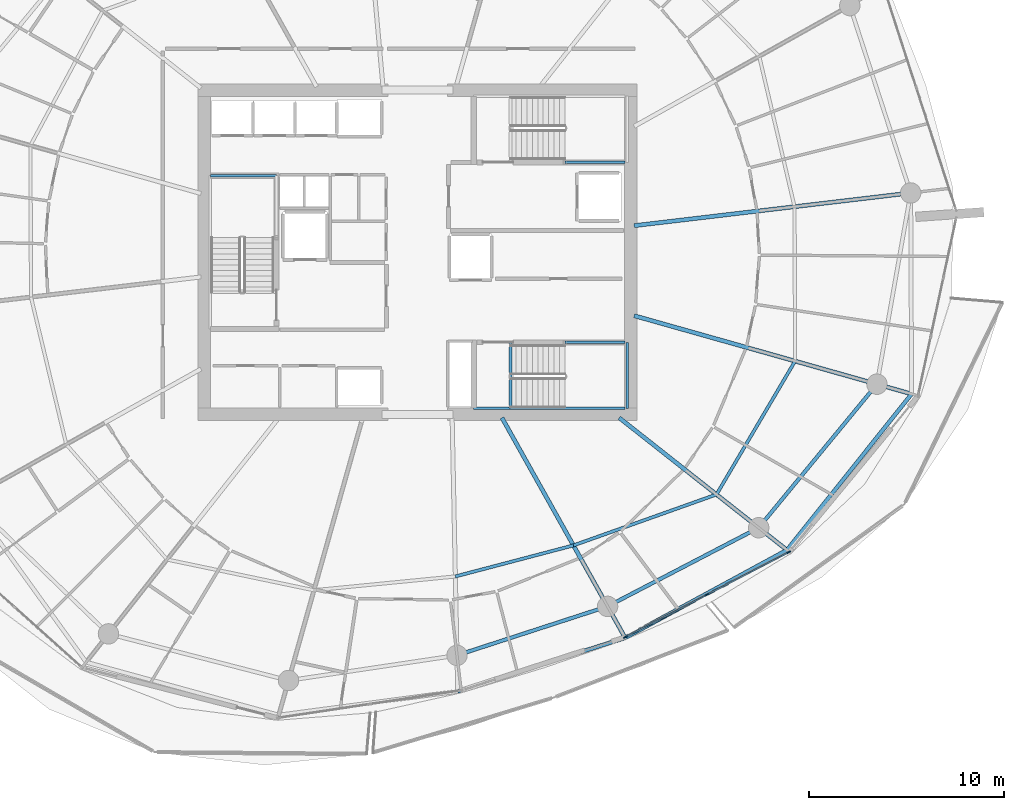
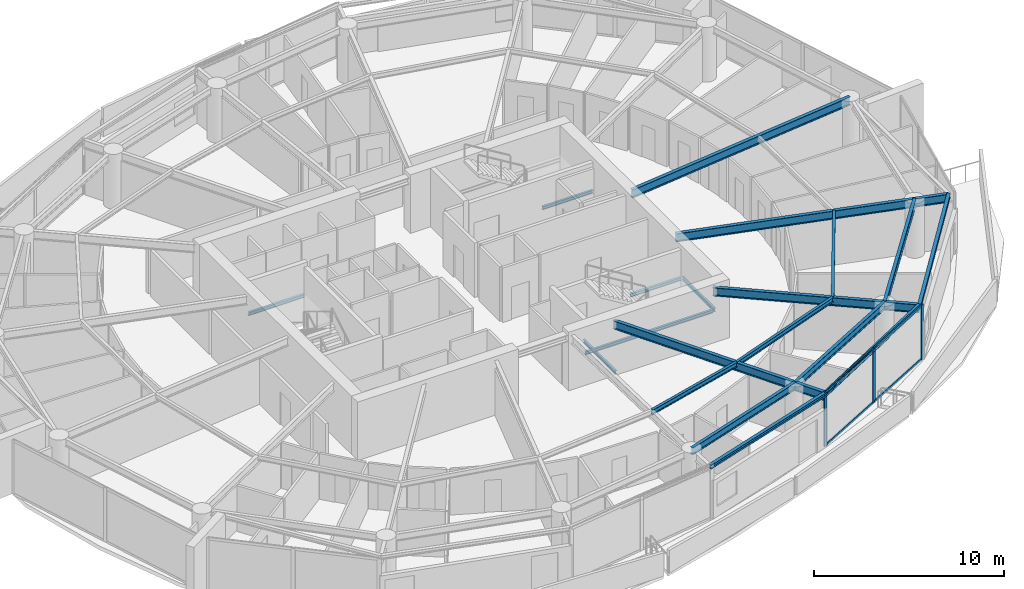
# One storey, part 6 of 21: 19 beams, 7 members, 1 element without a shape of its own.
"""IFC4 building model written with IfcOpenShell, lengths in metres."""

from ifc_helpers import new_model, si_unit, direction, frame, origin, origin_2d, place, context, subcontext, project, spatial, rectangle, i_section, extrude, material, layer, layer_set, material_profile, profile_set, type_object, element, aggregate, save


model = new_model("IFC4")

# Units and contexts
model_context = context("Model", 3, precision=1e-05, world=origin(), true_north=direction((0.0, 1.0)))
body_context = subcontext(model_context, "Body", "Model", "MODEL_VIEW")
ifc_project = project(units=[si_unit("LENGTHUNIT", "METRE"), si_unit("AREAUNIT", "SQUARE_METRE"), si_unit("VOLUMEUNIT", "CUBIC_METRE"), si_unit("PLANEANGLEUNIT", "RADIAN"), si_unit("MASSUNIT", "GRAM", prefix="KILO")], contexts=[model_context])

# Site, building, storey
site_placement = place(None, origin())
site = spatial("IfcSite", under=ifc_project, at=site_placement, CompositionType="ELEMENT")
building_placement = place(site_placement, origin())
building = spatial("IfcBuilding", under=site, at=building_placement, Name="Kazma Halo Residences", CompositionType="ELEMENT")
storey_placement = place(building_placement, frame((0.0, 0.0, 180.300048828125)))
storey = spatial("IfcBuildingStorey", under=building, at=storey_placement, Name="L45", CompositionType="ELEMENT", Elevation=180.300048828125)

# Beams
ifc_material_1 = material(Name="Steel S355", Category="steel")
ifc_material_profile_1 = material_profile(ifc_material_1, i_section(OverallWidth=0.201904296875, OverallDepth=0.2470703125, WebThickness=0.00732421875, FlangeThickness=0.010986328125, FilletRadius=0.011962890625, at=origin_2d()), Name="W250x49.1")
ifc_profile_set_1 = profile_set([ifc_material_profile_1], Name="Steel S355")
beam_type_1 = type_object("IfcBeamType", Name="BM-BAL-CANT", PredefinedType="BEAM", material=ifc_profile_set_1)
beam_1_placement = place(storey_placement, frame((50.48779296875, 19.45068359375, 3.37646484375), z_axis=(0.952538666424, 0.30441762263, 0.0), x_axis=(-0.30441762263, 0.952538666424, 0.0)))
element("IfcBeam", 1, at=beam_1_placement, inside=storey, type_object=beam_type_1, Name="L45 wave-balcony tie beam 12", PredefinedType="BEAM", context=body_context, shape_type="SweptSolid", body=[
    extrude(i_section(OverallWidth=0.201904296875, OverallDepth=0.2470703125, WebThickness=0.00732421875, FlangeThickness=0.010986328125, FilletRadius=0.011962890625, at=origin_2d()), origin(), (0.0, 0.0, 1.0), 9.029541015625),
])
beam_2_placement = place(storey_placement, frame((59.0888671875, 22.199462890625, 3.37646484375), z_axis=(0.878890557257, 0.477023467309, 0.0), x_axis=(-0.477023467309, 0.878890557257, 0.0)))
element("IfcBeam", 2, at=beam_2_placement, inside=storey, type_object=beam_type_1, Name="L45 wave-balcony tie beam 13", PredefinedType="BEAM", context=body_context, shape_type="SweptSolid", body=[
    extrude(i_section(OverallWidth=0.201904296875, OverallDepth=0.2470703125, WebThickness=0.00732421875, FlangeThickness=0.010986328125, FilletRadius=0.011962890625, at=origin_2d()), origin(), (0.0, 0.0, 1.0), 9.452880859375),
])
beam_3_placement = place(storey_placement, frame((67.39697265625, 26.708740234375, 3.37646484375), z_axis=(0.624195724924, 0.781268005864, 0.0), x_axis=(-0.781268005864, 0.624195724924, 0.0)))
element("IfcBeam", 3, at=beam_3_placement, inside=storey, type_object=beam_type_1, Name="L45 wave-balcony tie beam 14", PredefinedType="BEAM", context=body_context, shape_type="SweptSolid", body=[
    extrude(i_section(OverallWidth=0.201904296875, OverallDepth=0.2470703125, WebThickness=0.00732421875, FlangeThickness=0.010986328125, FilletRadius=0.011962890625, at=origin_2d()), origin(), (0.0, 0.0, 1.0), 10.258544921875),
])
ifc_material_profile_2 = material_profile(ifc_material_1, i_section(OverallWidth=0.208984375, OverallDepth=0.532958984375, WebThickness=0.01025390625, FlangeThickness=0.015625, FilletRadius=0.01611328125, at=origin_2d()), Name="W530x92")
ifc_profile_set_2 = profile_set([ifc_material_profile_2], Name="Steel S355")
beam_type_2 = type_object("IfcBeamType", Name="BM-RAD-W530", PredefinedType="BEAM", material=ifc_profile_set_2)
beam_4_placement = place(storey_placement, frame((52.76025390625, 33.5, 3.2333984375), z_axis=(0.488621736368, -0.872495729931, 0.0), x_axis=(0.872495729931, 0.488621736368, 0.0)))
element("IfcBeam", 4, at=beam_4_placement, inside=storey, type_object=beam_type_2, Name="L45 radial floor beam 13", PredefinedType="BEAM", context=body_context, shape_type="SweptSolid", body=[
    extrude(i_section(OverallWidth=0.208984375, OverallDepth=0.532958984375, WebThickness=0.01025390625, FlangeThickness=0.015625, FilletRadius=0.01611328125, at=origin_2d()), origin(), (0.0, 0.0, 1.0), 12.951904296875),
])
beam_5_placement = place(storey_placement, frame((58.7822265625, 33.5, 3.2333984375), z_axis=(0.785319521624, -0.619090662954, 0.0), x_axis=(0.619090662954, 0.785319521624, 0.0)))
element("IfcBeam", 5, at=beam_5_placement, inside=storey, type_object=beam_type_2, Name="L45 radial floor beam 14", PredefinedType="BEAM", context=body_context, shape_type="SweptSolid", body=[
    extrude(i_section(OverallWidth=0.208984375, OverallDepth=0.532958984375, WebThickness=0.01025390625, FlangeThickness=0.015625, FilletRadius=0.01611328125, at=origin_2d()), origin(), (0.0, 0.0, 1.0), 10.9697265625),
])
beam_6_placement = place(storey_placement, frame((59.550048828125, 38.74267578125, 3.2333984375), z_axis=(0.962449896911, -0.271459381741, 0.0), x_axis=(0.271459381741, 0.962449896911, 0.0)))
element("IfcBeam", 6, at=beam_6_placement, inside=storey, type_object=beam_type_2, Name="L45 radial floor beam 15", PredefinedType="BEAM", context=body_context, shape_type="SweptSolid", body=[
    extrude(i_section(OverallWidth=0.208984375, OverallDepth=0.532958984375, WebThickness=0.01025390625, FlangeThickness=0.015625, FilletRadius=0.01611328125, at=origin_2d()), origin(), (0.0, 0.0, 1.0), 14.80615234375),
])
beam_7_placement = place(storey_placement, frame((59.550048828125, 43.366943359375, 3.2333984375), z_axis=(0.993068204292, 0.117539532174, 0.0), x_axis=(-0.117539532174, 0.993068204292, 0.0)))
element("IfcBeam", 7, at=beam_7_placement, inside=storey, type_object=beam_type_2, Name="L45 radial floor beam 16", PredefinedType="BEAM", context=body_context, shape_type="SweptSolid", body=[
    extrude(i_section(OverallWidth=0.208984375, OverallDepth=0.532958984375, WebThickness=0.01025390625, FlangeThickness=0.015625, FilletRadius=0.01611328125, at=origin_2d()), origin(), (0.0, 0.0, 1.0), 14.30078125),
])
ifc_material_profile_3 = material_profile(ifc_material_1, i_section(OverallWidth=0.1650390625, OverallDepth=0.31005859375, WebThickness=0.005859375, FlangeThickness=0.009765625, FilletRadius=0.011962890625, at=origin_2d()), Name="W310x38.7")
ifc_profile_set_3 = profile_set([ifc_material_profile_3], Name="Steel S355")
beam_type_3 = type_object("IfcBeamType", Name="BM-SEC-W310B", PredefinedType="JOIST", material=ifc_profile_set_3)
beam_8_placement = place(storey_placement, frame((50.366943359375, 25.3515625, 3.344970703125), z_axis=(0.967135034863, 0.254263297273, 0.0), x_axis=(-0.254263297273, 0.967135034863, 0.0)))
element("IfcBeam", 8, at=beam_8_placement, inside=storey, type_object=beam_type_3, Name="L45 circumferential floor joist 12", PredefinedType="JOIST", context=body_context, shape_type="SweptSolid", body=[
    extrude(i_section(OverallWidth=0.1650390625, OverallDepth=0.31005859375, WebThickness=0.005859375, FlangeThickness=0.009765625, FilletRadius=0.011962890625, at=origin_2d()), origin(), (0.0, 0.0, 1.0), 6.27001953125),
])
beam_9_placement = place(storey_placement, frame((56.430908203125, 26.94580078125, 3.344970703125), z_axis=(0.942107492186, 0.335311009612, 0.0), x_axis=(-0.335311009612, 0.942107492186, 0.0)))
element("IfcBeam", 9, at=beam_9_placement, inside=storey, type_object=beam_type_3, Name="L45 circumferential floor joist 13", PredefinedType="JOIST", context=body_context, shape_type="SweptSolid", body=[
    extrude(i_section(OverallWidth=0.1650390625, OverallDepth=0.31005859375, WebThickness=0.005859375, FlangeThickness=0.009765625, FilletRadius=0.011962890625, at=origin_2d()), origin(), (0.0, 0.0, 1.0), 7.79931640625),
])
beam_10_placement = place(storey_placement, frame((63.77880859375, 29.56103515625, 3.344970703125), z_axis=(0.507638586433, 0.861570116453, 0.0), x_axis=(-0.861570116453, 0.507638586433, 0.0)))
element("IfcBeam", 10, at=beam_10_placement, inside=storey, type_object=beam_type_3, Name="L45 circumferential floor joist 14", PredefinedType="JOIST", context=body_context, shape_type="SweptSolid", body=[
    extrude(i_section(OverallWidth=0.1650390625, OverallDepth=0.31005859375, WebThickness=0.005859375, FlangeThickness=0.009765625, FilletRadius=0.011962890625, at=origin_2d()), origin(), (0.0, 0.0, 1.0), 7.951171875),
])
ifc_material_profile_4 = material_profile(ifc_material_1, i_section(OverallWidth=0.18994140625, OverallDepth=0.45703125, WebThickness=0.009033203125, FlangeThickness=0.014404296875, FilletRadius=0.01611328125, at=origin_2d()), Name="W460x74")
ifc_profile_set_4 = profile_set([ifc_material_profile_4], Name="Steel S355")
beam_type_4 = type_object("IfcBeamType", Name="BM-SPN-W460", PredefinedType="BEAM", material=ifc_profile_set_4)
beam_11_placement = place(storey_placement, frame((50.449951171875, 21.30029296875, 3.271484375), z_axis=(0.951048627281, 0.30904127321, 0.0), x_axis=(-0.30904127321, 0.951048627281, 0.0)))
element("IfcBeam", 11, at=beam_11_placement, inside=storey, type_object=beam_type_4, Name="L45 perimeter ring beam 12", PredefinedType="BEAM", context=body_context, shape_type="SweptSolid", body=[
    extrude(i_section(OverallWidth=0.18994140625, OverallDepth=0.45703125, WebThickness=0.009033203125, FlangeThickness=0.014404296875, FilletRadius=0.01611328125, at=origin_2d()), origin(), (0.0, 0.0, 1.0), 8.133056640625),
])
beam_12_placement = place(storey_placement, frame((58.184814453125, 23.813720703125, 3.271484375), z_axis=(0.886961243394, 0.461843861838, 0.0), x_axis=(-0.461843861838, 0.886961243394, 0.0)))
element("IfcBeam", 12, at=beam_12_placement, inside=storey, type_object=beam_type_4, Name="L45 perimeter ring beam 13", PredefinedType="BEAM", context=body_context, shape_type="SweptSolid", body=[
    extrude(i_section(OverallWidth=0.18994140625, OverallDepth=0.45703125, WebThickness=0.009033203125, FlangeThickness=0.014404296875, FilletRadius=0.01611328125, at=origin_2d()), origin(), (0.0, 0.0, 1.0), 8.748046875),
])
beam_13_placement = place(storey_placement, frame((65.944091796875, 27.85400390625, 3.271484375), z_axis=(0.63601715545, 0.771674917289, 0.0), x_axis=(-0.771674917289, 0.63601715545, 0.0)))
element("IfcBeam", 13, at=beam_13_placement, inside=storey, type_object=beam_type_4, Name="L45 perimeter ring beam 14", PredefinedType="BEAM", context=body_context, shape_type="SweptSolid", body=[
    extrude(i_section(OverallWidth=0.18994140625, OverallDepth=0.45703125, WebThickness=0.009033203125, FlangeThickness=0.014404296875, FilletRadius=0.01611328125, at=origin_2d()), origin(), (0.0, 0.0, 1.0), 9.552734375),
])
ifc_material_profile_5 = material_profile(ifc_material_1, i_section(OverallWidth=0.133056640625, OverallDepth=0.20703125, WebThickness=0.005859375, FlangeThickness=0.00830078125, FilletRadius=0.010009765625, at=origin_2d()), Name="W200x26.6")
ifc_profile_set_5 = profile_set([ifc_material_profile_5], Name="Steel S355")
beam_type_5 = type_object("IfcBeamType", Name="BM-TRIM-W200", PredefinedType="BEAM", material=ifc_profile_set_5)
beam_14_placement = place(storey_placement, frame((53.199951171875, 34.0, -0.360107421875), z_axis=(0.0, 1.0, 0.0), x_axis=(-1.0, 0.0, 0.0)))
element("IfcBeam", 14, at=beam_14_placement, inside=storey, type_object=beam_type_5, Name="L45 ST-03 floor landing support beam", PredefinedType="BEAM", context=body_context, shape_type="SweptSolid", body=[
    extrude(i_section(OverallWidth=0.133056640625, OverallDepth=0.20703125, WebThickness=0.005859375, FlangeThickness=0.00830078125, FilletRadius=0.010009765625, at=origin_2d()), origin(), (0.0, 0.0, 1.0), 3.3798828125),
])
beam_15_placement = place(storey_placement, frame((37.780029296875, 45.93994140625, 1.570068359375), z_axis=(1.0, 0.0, 0.0), x_axis=(0.0, 1.0, 0.0)))
element("IfcBeam", 15, at=beam_15_placement, inside=storey, type_object=beam_type_5, Name="L45 ST-01 landing end wall ledger", PredefinedType="BEAM", context=body_context, shape_type="SweptSolid", body=[
    extrude(i_section(OverallWidth=0.133056640625, OverallDepth=0.20703125, WebThickness=0.005859375, FlangeThickness=0.00830078125, FilletRadius=0.010009765625, at=origin_2d()), origin(), (0.0, 0.0, 1.0), 3.39990234375),
])
beam_16_placement = place(storey_placement, frame((56.0, 46.6201171875, 1.570068359375), z_axis=(1.0, 0.0, 0.0), x_axis=(0.0, 1.0, 0.0)))
element("IfcBeam", 16, at=beam_16_placement, inside=storey, type_object=beam_type_5, Name="L45 ST-02 landing south wall ledger", PredefinedType="BEAM", context=body_context, shape_type="SweptSolid", body=[
    extrude(i_section(OverallWidth=0.133056640625, OverallDepth=0.20703125, WebThickness=0.005859375, FlangeThickness=0.00830078125, FilletRadius=0.010009765625, at=origin_2d()), origin(), (0.0, 0.0, 1.0), 3.070068359375),
])
beam_17_placement = place(storey_placement, frame((51.31005859375, 33.97998046875, 1.570068359375), z_axis=(1.0, 0.0, 0.0), x_axis=(0.0, 1.0, 0.0)))
element("IfcBeam", 17, at=beam_17_placement, inside=storey, type_object=beam_type_5, Name="L45 ST-03 landing south wall ledger", PredefinedType="BEAM", context=body_context, shape_type="SweptSolid", body=[
    extrude(i_section(OverallWidth=0.133056640625, OverallDepth=0.20703125, WebThickness=0.005859375, FlangeThickness=0.00830078125, FilletRadius=0.010009765625, at=origin_2d()), origin(), (0.0, 0.0, 1.0), 7.760009765625),
])
beam_18_placement = place(storey_placement, frame((56.0, 37.3798828125, 1.570068359375), z_axis=(1.0, 0.0, 0.0), x_axis=(0.0, 1.0, 0.0)))
element("IfcBeam", 18, at=beam_18_placement, inside=storey, type_object=beam_type_5, Name="L45 ST-03 landing north wall ledger", PredefinedType="BEAM", context=body_context, shape_type="SweptSolid", body=[
    extrude(i_section(OverallWidth=0.133056640625, OverallDepth=0.20703125, WebThickness=0.005859375, FlangeThickness=0.00830078125, FilletRadius=0.010009765625, at=origin_2d()), origin(), (0.0, 0.0, 1.0), 3.070068359375),
])
beam_19_placement = place(storey_placement, frame((59.18994140625, 33.97998046875, 1.570068359375), z_axis=(0.0, 1.0, 0.0), x_axis=(-1.0, 0.0, 0.0)))
element("IfcBeam", 19, at=beam_19_placement, inside=storey, type_object=beam_type_5, Name="L45 ST-03 landing end wall ledger", PredefinedType="BEAM", context=body_context, shape_type="SweptSolid", body=[
    extrude(i_section(OverallWidth=0.133056640625, OverallDepth=0.20703125, WebThickness=0.005859375, FlangeThickness=0.00830078125, FilletRadius=0.010009765625, at=origin_2d()), origin(), (0.0, 0.0, 1.0), 3.39990234375),
])

# Curtain wall, members
ifc_material_2 = material(Name="Aluminium AW-6063 T6 and Triple-Silver Low-E Glass", Category="aluminium")
ifc_layer = layer(ifc_material_2, 0.219970703125)
ifc_layer_set = layer_set([ifc_layer], Name="Aluminium AW-6063 T6 and Triple-Silver Low-E Glass")
curtain_wall_type = type_object("IfcCurtainWallType", Name="CW-SYS-4", PredefinedType="NOTDEFINED", material=ifc_layer_set)
curtain_wall_placement = place(storey_placement, origin())
curtain_wall = element("IfcCurtainWall", 20, at=curtain_wall_placement, inside=storey, type_object=curtain_wall_type, Name="L45 unitised curtain wall B13", PredefinedType="NOTDEFINED")
ifc_material_3 = material(Name="Aluminium AW-6063 T6", Category="aluminium")
ifc_material_profile_6 = material_profile(ifc_material_3, rectangle(XDim=0.074951171875, YDim=0.219970703125, at=origin_2d()), Name="CWM-75x220")
ifc_profile_set_6 = profile_set([ifc_material_profile_6], Name="Aluminium AW-6063 T6")
member_type_1 = type_object("IfcMemberType", Name="CW-SYS-4-MUL", PredefinedType="MULLION", material=ifc_profile_set_6)
member_1_placement = place(storey_placement, frame((59.105712890625, 22.24609375, 0.0), z_axis=(0.0, 0.0, 1.0), x_axis=(-0.460873851097, 0.887465657575, 0.0)))
member_1 = element("IfcMember", 21, at=member_1_placement, type_object=member_type_1, Name="CWS-4 mullion 1", PredefinedType="MULLION", context=body_context, shape_type="SweptSolid", body=[
    extrude(rectangle(XDim=0.074951171875, YDim=0.219970703125, at=origin_2d()), origin(), (0.0, 0.0, 1.0), 3.5),
])
member_2_placement = place(storey_placement, frame((63.294677734375, 24.421630859375, 0.0), z_axis=(0.0, 0.0, 1.0), x_axis=(-0.460873851097, 0.887465657575, 0.0)))
member_2 = element("IfcMember", 22, at=member_2_placement, type_object=member_type_1, Name="CWS-4 mullion 2", PredefinedType="MULLION", context=body_context, shape_type="SweptSolid", body=[
    extrude(rectangle(XDim=0.074951171875, YDim=0.219970703125, at=origin_2d()), origin(), (0.0, 0.0, 1.0), 3.5),
])
member_3_placement = place(storey_placement, frame((67.4833984375, 26.596923828125, 0.0), z_axis=(0.0, 0.0, 1.0), x_axis=(-0.460873851097, 0.887465657575, 0.0)))
member_3 = element("IfcMember", 23, at=member_3_placement, type_object=member_type_1, Name="CWS-4 mullion 3", PredefinedType="MULLION", context=body_context, shape_type="SweptSolid", body=[
    extrude(rectangle(XDim=0.074951171875, YDim=0.219970703125, at=origin_2d()), origin(), (0.0, 0.0, 1.0), 3.5),
])
ifc_material_profile_7 = material_profile(ifc_material_3, rectangle(XDim=0.074951171875, YDim=0.1650390625, at=origin_2d()), Name="CWT-75x165")
ifc_profile_set_7 = profile_set([ifc_material_profile_7], Name="Aluminium AW-6063 T6")
member_type_2 = type_object("IfcMemberType", Name="CW-SYS-4-TRN", PredefinedType="USERDEFINED", material=ifc_profile_set_7)
member_4_placement = place(storey_placement, frame((59.138916015625, 22.263427734375, 0.037353515625), z_axis=(0.887457630519, 0.460889307789, 0.0), x_axis=(-0.460889307789, 0.887457630519, 0.0)))
member_4 = element("IfcMember", 24, at=member_4_placement, type_object=member_type_2, Name="CWS-4 transom 1.1", ObjectType="TRANSOM", PredefinedType="USERDEFINED", context=body_context, shape_type="SweptSolid", body=[
    extrude(rectangle(XDim=0.074951171875, YDim=0.1650390625, at=origin_2d()), origin(), (0.0, 0.0, 1.0), 4.64501953125),
])
member_5_placement = place(storey_placement, frame((59.138916015625, 22.263427734375, 3.46240234375), z_axis=(0.887457630519, 0.460889307789, 0.0), x_axis=(-0.460889307789, 0.887457630519, 0.0)))
member_5 = element("IfcMember", 25, at=member_5_placement, type_object=member_type_2, Name="CWS-4 transom 1.2", ObjectType="TRANSOM", PredefinedType="USERDEFINED", context=body_context, shape_type="SweptSolid", body=[
    extrude(rectangle(XDim=0.074951171875, YDim=0.1650390625, at=origin_2d()), origin(), (0.0, 0.0, 1.0), 4.64501953125),
])
member_6_placement = place(storey_placement, frame((63.327880859375, 24.438720703125, 0.037353515625), z_axis=(0.887457630519, 0.460889307789, 0.0), x_axis=(-0.460889307789, 0.887457630519, 0.0)))
member_6 = element("IfcMember", 26, at=member_6_placement, type_object=member_type_2, Name="CWS-4 transom 2.1", ObjectType="TRANSOM", PredefinedType="USERDEFINED", context=body_context, shape_type="SweptSolid", body=[
    extrude(rectangle(XDim=0.074951171875, YDim=0.1650390625, at=origin_2d()), origin(), (0.0, 0.0, 1.0), 4.64501953125),
])
member_7_placement = place(storey_placement, frame((63.327880859375, 24.438720703125, 3.46240234375), z_axis=(0.887457630519, 0.460889307789, 0.0), x_axis=(-0.460889307789, 0.887457630519, 0.0)))
member_7 = element("IfcMember", 27, at=member_7_placement, type_object=member_type_2, Name="CWS-4 transom 2.2", ObjectType="TRANSOM", PredefinedType="USERDEFINED", context=body_context, shape_type="SweptSolid", body=[
    extrude(rectangle(XDim=0.074951171875, YDim=0.1650390625, at=origin_2d()), origin(), (0.0, 0.0, 1.0), 4.64501953125),
])
aggregate(curtain_wall, [member_1, member_2, member_3, member_4, member_5, member_6, member_7])

save(model, "model.ifc")
